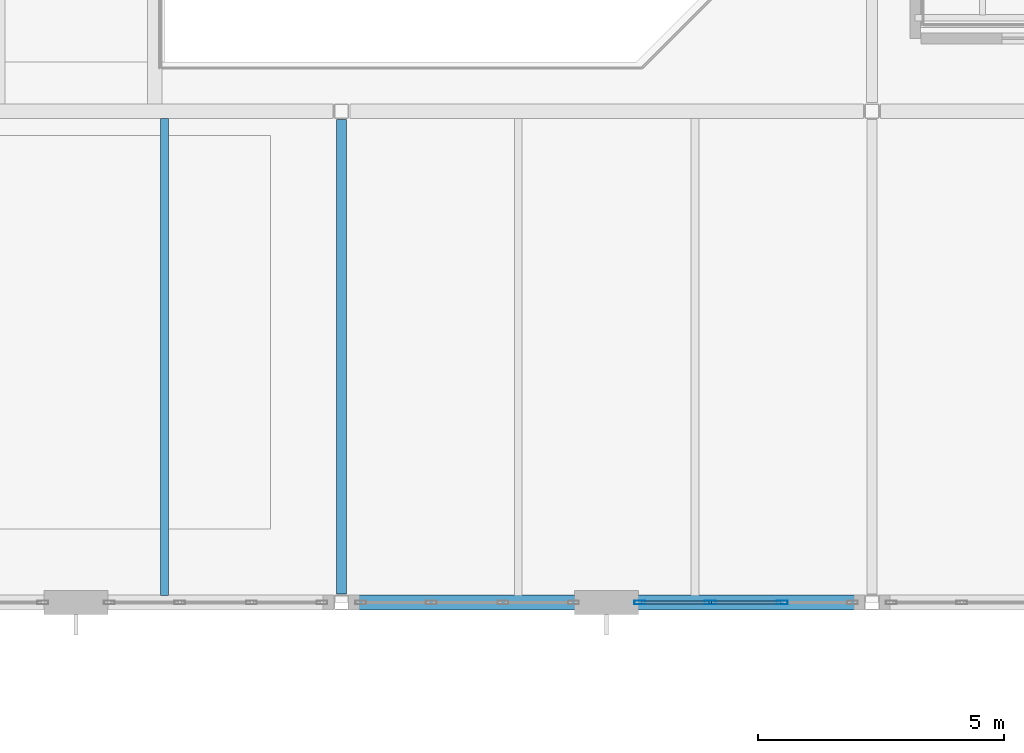
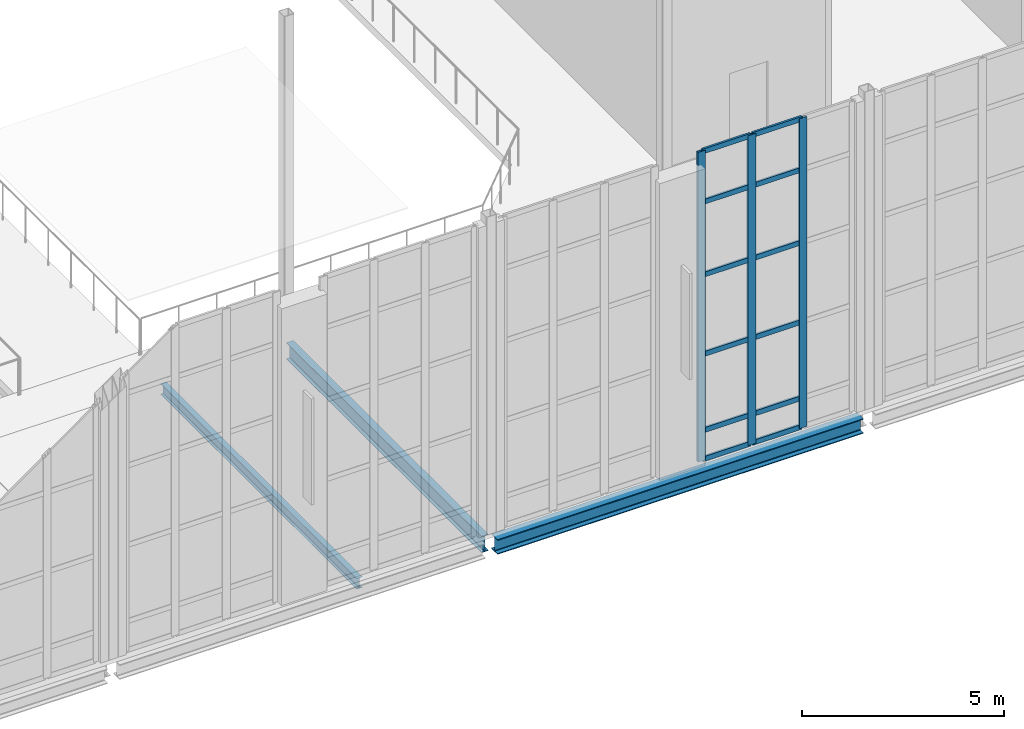
# One storey, part 31 of 100: 15 members, 3 beams, 1 element without a shape of its own.
"""IFC4 building model written with IfcOpenShell, lengths in metres."""

from ifc_helpers import new_model, si_unit, direction, frame, origin, origin_2d, place, context, subcontext, project, spatial, hollow_rectangle, i_section, extrude, material, layer, layer_set, material_profile, profile_set, type_object, element, aggregate, save


model = new_model("IFC4")

# Units and contexts
model_context = context("Model", 3, precision=1e-05, world=origin(), true_north=direction((0.0, 1.0)))
body_context = subcontext(model_context, "Body", "Model", "MODEL_VIEW")
ifc_project = project(units=[si_unit("LENGTHUNIT", "METRE"), si_unit("AREAUNIT", "SQUARE_METRE"), si_unit("VOLUMEUNIT", "CUBIC_METRE"), si_unit("PLANEANGLEUNIT", "RADIAN"), si_unit("MASSUNIT", "GRAM", prefix="KILO")], contexts=[model_context])

# Site, building, storey
site_placement = place(None, origin())
site = spatial("IfcSite", under=ifc_project, at=site_placement, CompositionType="ELEMENT")
building_placement = place(site_placement, origin())
building = spatial("IfcBuilding", under=site, at=building_placement, Name="Tasgan Crest Museum", CompositionType="ELEMENT")
storey_placement = place(building_placement, frame((0.0, 0.0, 14.39990234375)))
storey = spatial("IfcBuildingStorey", under=building, at=storey_placement, Name="L03", CompositionType="ELEMENT", Elevation=14.39990234375)

# Beams
ifc_material_1 = material(Name="Steel S355J2", Category="steel")
ifc_material_profile_1 = material_profile(ifc_material_1, i_section(OverallWidth=0.300048828125, OverallDepth=0.449951171875, WebThickness=0.013916015625, FlangeThickness=0.02587890625, FilletRadius=0.027099609375, at=origin_2d()), Name="HEB 450")
ifc_profile_set_1 = profile_set([ifc_material_profile_1], Name="Steel S355J2")
beam_type_1 = type_object("IfcBeamType", Name="BM-G-HEB450", PredefinedType="BEAM", material=ifc_profile_set_1)
beam_1_placement = place(storey_placement, frame((86.57373046875, 40.0, -0.46484375), z_axis=(1.0, 0.0, 0.0), x_axis=(0.0, 1.0, 0.0)))
element("IfcBeam", 1, at=beam_1_placement, inside=storey, type_object=beam_type_1, Name="Girder L03 E 86.4-97.2", PredefinedType="BEAM", context=body_context, shape_type="SweptSolid", body=[
    extrude(i_section(OverallWidth=0.300048828125, OverallDepth=0.449951171875, WebThickness=0.013916015625, FlangeThickness=0.02587890625, FilletRadius=0.027099609375, at=origin_2d()), origin(), (0.0, 0.0, 1.0), 10.452392578125),
])
ifc_material_2 = material(Name="Steel S355J2", Category="steel")
ifc_material_profile_2 = material_profile(ifc_material_2, i_section(OverallWidth=0.199951171875, OverallDepth=0.5, WebThickness=0.01025390625, FlangeThickness=0.01611328125, FilletRadius=0.02099609375, at=origin_2d()), Name="IPE 500")
ifc_profile_set_2 = profile_set([ifc_material_profile_2], Name="Steel S355J2")
beam_type_2 = type_object("IfcBeamType", Name="BM-G-IPE500", PredefinedType="BEAM", material=ifc_profile_set_2)
beam_2_placement = place(storey_placement, frame((86.39990234375, 40.1728515625, -0.489990234375), z_axis=(0.0, 1.0, 0.0), x_axis=(-1.0, 0.0, 0.0)))
element("IfcBeam", 2, at=beam_2_placement, inside=storey, type_object=beam_type_2, Name="Beam L03 9 40.0-50.0", PredefinedType="BEAM", context=body_context, shape_type="SweptSolid", body=[
    extrude(i_section(OverallWidth=0.199951171875, OverallDepth=0.5, WebThickness=0.01025390625, FlangeThickness=0.01611328125, FilletRadius=0.02099609375, at=origin_2d()), origin(), (0.0, 0.0, 1.0), 9.654296875),
])
ifc_material_3 = material(Name="Steel S355J2", Category="steel")
ifc_material_profile_3 = material_profile(ifc_material_3, i_section(OverallWidth=0.159912109375, OverallDepth=0.330078125, WebThickness=0.007568359375, FlangeThickness=0.011474609375, FilletRadius=0.01806640625, at=origin_2d()), Name="IPE 330")
ifc_profile_set_3 = profile_set([ifc_material_profile_3], Name="Steel S355J2")
beam_type_3 = type_object("IfcBeamType", Name="BM-J-IPE330", PredefinedType="JOIST", material=ifc_profile_set_3)
beam_3_placement = place(storey_placement, frame((82.800048828125, 40.14501953125, -0.40478515625), z_axis=(0.0, 1.0, 0.0), x_axis=(-1.0, 0.0, 0.0)))
element("IfcBeam", 3, at=beam_3_placement, inside=storey, type_object=beam_type_3, Name="Secondary joist L03 X=82.8 Y=40.0-50.0", PredefinedType="JOIST", context=body_context, shape_type="SweptSolid", body=[
    extrude(i_section(OverallWidth=0.159912109375, OverallDepth=0.330078125, WebThickness=0.007568359375, FlangeThickness=0.011474609375, FilletRadius=0.01806640625, at=origin_2d()), origin(), (0.0, 0.0, 1.0), 9.7099609375),
])

# Curtain wall, members
ifc_material_4 = material(Name="Triple-Glazed Aluminium Curtain Wall", Category="aluminium")
ifc_layer = layer(ifc_material_4, 0.179931640625, Name="CW-DRUM-X-96")
ifc_layer_set = layer_set([ifc_layer], Name="Triple-Glazed Aluminium Curtain Wall")
curtain_wall_type = type_object("IfcCurtainWallType", Name="CW-DRUM-X-96", PredefinedType="NOTDEFINED", material=ifc_layer_set)
curtain_wall_placement = place(storey_placement, origin())
curtain_wall = element("IfcCurtainWall", 4, at=curtain_wall_placement, inside=storey, type_object=curtain_wall_type, Name="Curtain wall L03 152", PredefinedType="NOTDEFINED")
ifc_material_5 = material(Name="Anodised Aluminium", Category="aluminium")
ifc_material_profile_4 = material_profile(ifc_material_5, hollow_rectangle(XDim=0.074951171875, YDim=0.219970703125, WallThickness=0.006103515625, at=origin_2d()), Name="ALU MULLION 220x75x6")
ifc_profile_set_4 = profile_set([ifc_material_profile_4], Name="Anodised Aluminium")
member_type_1 = type_object("IfcMemberType", Name="CW-MULLION-220", PredefinedType="MULLION", material=ifc_profile_set_4)
member_1_placement = place(storey_placement, frame((92.47509765625, 40.0, 0.0), z_axis=(0.0, 0.0, 1.0), x_axis=(0.0, 1.0, 0.0)))
member_1 = element("IfcMember", 5, at=member_1_placement, type_object=member_type_1, Name="CW06 mullion 1", PredefinedType="MULLION", context=body_context, shape_type="SweptSolid", body=[
    extrude(hollow_rectangle(XDim=0.074951171875, YDim=0.219970703125, WallThickness=0.006103515625, at=origin_2d()), origin(), (0.0, 0.0, 1.0), 9.360107421875),
])
member_2_placement = place(storey_placement, frame((93.908447265625, 40.0, 0.0), z_axis=(0.0, 0.0, 1.0), x_axis=(0.0, 1.0, 0.0)))
member_2 = element("IfcMember", 6, at=member_2_placement, type_object=member_type_1, Name="CW06 mullion 2", PredefinedType="MULLION", context=body_context, shape_type="SweptSolid", body=[
    extrude(hollow_rectangle(XDim=0.074951171875, YDim=0.219970703125, WallThickness=0.006103515625, at=origin_2d()), origin(), (0.0, 0.0, 1.0), 9.360107421875),
])
member_3_placement = place(storey_placement, frame((95.37158203125, 40.0, 0.0), z_axis=(0.0, 0.0, 1.0), x_axis=(0.0, 1.0, 0.0)))
member_3 = element("IfcMember", 7, at=member_3_placement, type_object=member_type_1, Name="CW06 mullion 3", PredefinedType="MULLION", context=body_context, shape_type="SweptSolid", body=[
    extrude(hollow_rectangle(XDim=0.074951171875, YDim=0.219970703125, WallThickness=0.006103515625, at=origin_2d()), origin(), (0.0, 0.0, 1.0), 9.360107421875),
])
ifc_material_6 = material(Name="Anodised Aluminium", Category="aluminium")
ifc_material_profile_5 = material_profile(ifc_material_6, hollow_rectangle(XDim=0.06005859375, YDim=0.14990234375, WallThickness=0.0048828125, at=origin_2d()), Name="ALU TRANSOM 150x60x5")
ifc_profile_set_5 = profile_set([ifc_material_profile_5], Name="Anodised Aluminium")
member_type_2 = type_object("IfcMemberType", Name="CW-TRANSOM-150", PredefinedType="USERDEFINED", material=ifc_profile_set_5)
member_4_placement = place(storey_placement, frame((92.5048828125, 40.0, 0.030029296875), z_axis=(1.0, 0.0, 0.0), x_axis=(0.0, 1.0, 0.0)))
member_4 = element("IfcMember", 8, at=member_4_placement, type_object=member_type_2, Name="CW06 transom 1.1", ObjectType="TRANSOM", PredefinedType="USERDEFINED", context=body_context, shape_type="SweptSolid", body=[
    extrude(hollow_rectangle(XDim=0.06005859375, YDim=0.14990234375, WallThickness=0.0048828125, at=origin_2d()), origin(), (0.0, 0.0, 1.0), 1.37353515625),
])
member_5_placement = place(storey_placement, frame((92.5048828125, 40.0, 0.900146484375), z_axis=(1.0, 0.0, 0.0), x_axis=(0.0, 1.0, 0.0)))
member_5 = element("IfcMember", 9, at=member_5_placement, type_object=member_type_2, Name="CW06 transom 1.2", ObjectType="TRANSOM", PredefinedType="USERDEFINED", context=body_context, shape_type="SweptSolid", body=[
    extrude(hollow_rectangle(XDim=0.06005859375, YDim=0.14990234375, WallThickness=0.0048828125, at=origin_2d()), origin(), (0.0, 0.0, 1.0), 1.37353515625),
])
member_6_placement = place(storey_placement, frame((92.5048828125, 40.0, 3.2001953125), z_axis=(1.0, 0.0, 0.0), x_axis=(0.0, 1.0, 0.0)))
member_6 = element("IfcMember", 10, at=member_6_placement, type_object=member_type_2, Name="CW06 transom 1.3", ObjectType="TRANSOM", PredefinedType="USERDEFINED", context=body_context, shape_type="SweptSolid", body=[
    extrude(hollow_rectangle(XDim=0.06005859375, YDim=0.14990234375, WallThickness=0.0048828125, at=origin_2d()), origin(), (0.0, 0.0, 1.0), 1.37353515625),
])
member_7_placement = place(storey_placement, frame((92.5048828125, 40.0, 5.60009765625), z_axis=(1.0, 0.0, 0.0), x_axis=(0.0, 1.0, 0.0)))
member_7 = element("IfcMember", 11, at=member_7_placement, type_object=member_type_2, Name="CW06 transom 1.4", ObjectType="TRANSOM", PredefinedType="USERDEFINED", context=body_context, shape_type="SweptSolid", body=[
    extrude(hollow_rectangle(XDim=0.06005859375, YDim=0.14990234375, WallThickness=0.0048828125, at=origin_2d()), origin(), (0.0, 0.0, 1.0), 1.37353515625),
])
member_8_placement = place(storey_placement, frame((92.5048828125, 40.0, 7.800048828125), z_axis=(1.0, 0.0, 0.0), x_axis=(0.0, 1.0, 0.0)))
member_8 = element("IfcMember", 12, at=member_8_placement, type_object=member_type_2, Name="CW06 transom 1.5", ObjectType="TRANSOM", PredefinedType="USERDEFINED", context=body_context, shape_type="SweptSolid", body=[
    extrude(hollow_rectangle(XDim=0.06005859375, YDim=0.14990234375, WallThickness=0.0048828125, at=origin_2d()), origin(), (0.0, 0.0, 1.0), 1.37353515625),
])
member_9_placement = place(storey_placement, frame((92.5048828125, 40.0, 9.330078125), z_axis=(1.0, 0.0, 0.0), x_axis=(0.0, 1.0, 0.0)))
member_9 = element("IfcMember", 13, at=member_9_placement, type_object=member_type_2, Name="CW06 transom 1.6", ObjectType="TRANSOM", PredefinedType="USERDEFINED", context=body_context, shape_type="SweptSolid", body=[
    extrude(hollow_rectangle(XDim=0.06005859375, YDim=0.14990234375, WallThickness=0.0048828125, at=origin_2d()), origin(), (0.0, 0.0, 1.0), 1.37353515625),
])
member_10_placement = place(storey_placement, frame((93.938232421875, 40.0, 0.030029296875), z_axis=(1.0, 0.0, 0.0), x_axis=(0.0, 1.0, 0.0)))
member_10 = element("IfcMember", 14, at=member_10_placement, type_object=member_type_2, Name="CW06 transom 2.1", ObjectType="TRANSOM", PredefinedType="USERDEFINED", context=body_context, shape_type="SweptSolid", body=[
    extrude(hollow_rectangle(XDim=0.06005859375, YDim=0.14990234375, WallThickness=0.0048828125, at=origin_2d()), origin(), (0.0, 0.0, 1.0), 1.4033203125),
])
member_11_placement = place(storey_placement, frame((93.938232421875, 40.0, 0.900146484375), z_axis=(1.0, 0.0, 0.0), x_axis=(0.0, 1.0, 0.0)))
member_11 = element("IfcMember", 15, at=member_11_placement, type_object=member_type_2, Name="CW06 transom 2.2", ObjectType="TRANSOM", PredefinedType="USERDEFINED", context=body_context, shape_type="SweptSolid", body=[
    extrude(hollow_rectangle(XDim=0.06005859375, YDim=0.14990234375, WallThickness=0.0048828125, at=origin_2d()), origin(), (0.0, 0.0, 1.0), 1.4033203125),
])
member_12_placement = place(storey_placement, frame((93.938232421875, 40.0, 3.2001953125), z_axis=(1.0, 0.0, 0.0), x_axis=(0.0, 1.0, 0.0)))
member_12 = element("IfcMember", 16, at=member_12_placement, type_object=member_type_2, Name="CW06 transom 2.3", ObjectType="TRANSOM", PredefinedType="USERDEFINED", context=body_context, shape_type="SweptSolid", body=[
    extrude(hollow_rectangle(XDim=0.06005859375, YDim=0.14990234375, WallThickness=0.0048828125, at=origin_2d()), origin(), (0.0, 0.0, 1.0), 1.4033203125),
])
member_13_placement = place(storey_placement, frame((93.938232421875, 40.0, 5.60009765625), z_axis=(1.0, 0.0, 0.0), x_axis=(0.0, 1.0, 0.0)))
member_13 = element("IfcMember", 17, at=member_13_placement, type_object=member_type_2, Name="CW06 transom 2.4", ObjectType="TRANSOM", PredefinedType="USERDEFINED", context=body_context, shape_type="SweptSolid", body=[
    extrude(hollow_rectangle(XDim=0.06005859375, YDim=0.14990234375, WallThickness=0.0048828125, at=origin_2d()), origin(), (0.0, 0.0, 1.0), 1.4033203125),
])
member_14_placement = place(storey_placement, frame((93.938232421875, 40.0, 7.800048828125), z_axis=(1.0, 0.0, 0.0), x_axis=(0.0, 1.0, 0.0)))
member_14 = element("IfcMember", 18, at=member_14_placement, type_object=member_type_2, Name="CW06 transom 2.5", ObjectType="TRANSOM", PredefinedType="USERDEFINED", context=body_context, shape_type="SweptSolid", body=[
    extrude(hollow_rectangle(XDim=0.06005859375, YDim=0.14990234375, WallThickness=0.0048828125, at=origin_2d()), origin(), (0.0, 0.0, 1.0), 1.4033203125),
])
member_15_placement = place(storey_placement, frame((93.938232421875, 40.0, 9.330078125), z_axis=(1.0, 0.0, 0.0), x_axis=(0.0, 1.0, 0.0)))
member_15 = element("IfcMember", 19, at=member_15_placement, type_object=member_type_2, Name="CW06 transom 2.6", ObjectType="TRANSOM", PredefinedType="USERDEFINED", context=body_context, shape_type="SweptSolid", body=[
    extrude(hollow_rectangle(XDim=0.06005859375, YDim=0.14990234375, WallThickness=0.0048828125, at=origin_2d()), origin(), (0.0, 0.0, 1.0), 1.4033203125),
])
aggregate(curtain_wall, [member_1, member_2, member_3, member_4, member_5, member_6, member_7, member_8, member_9, member_10, member_11, member_12, member_13, member_14, member_15])

save(model, "model.ifc")
